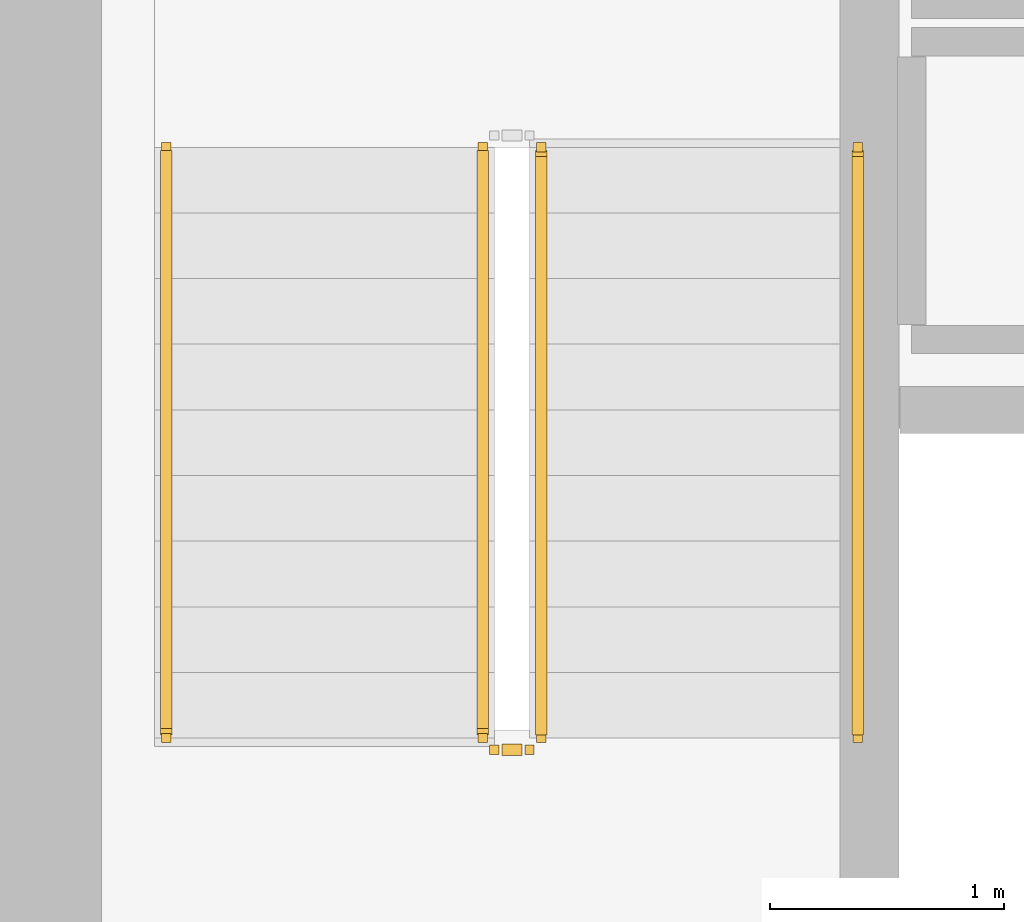
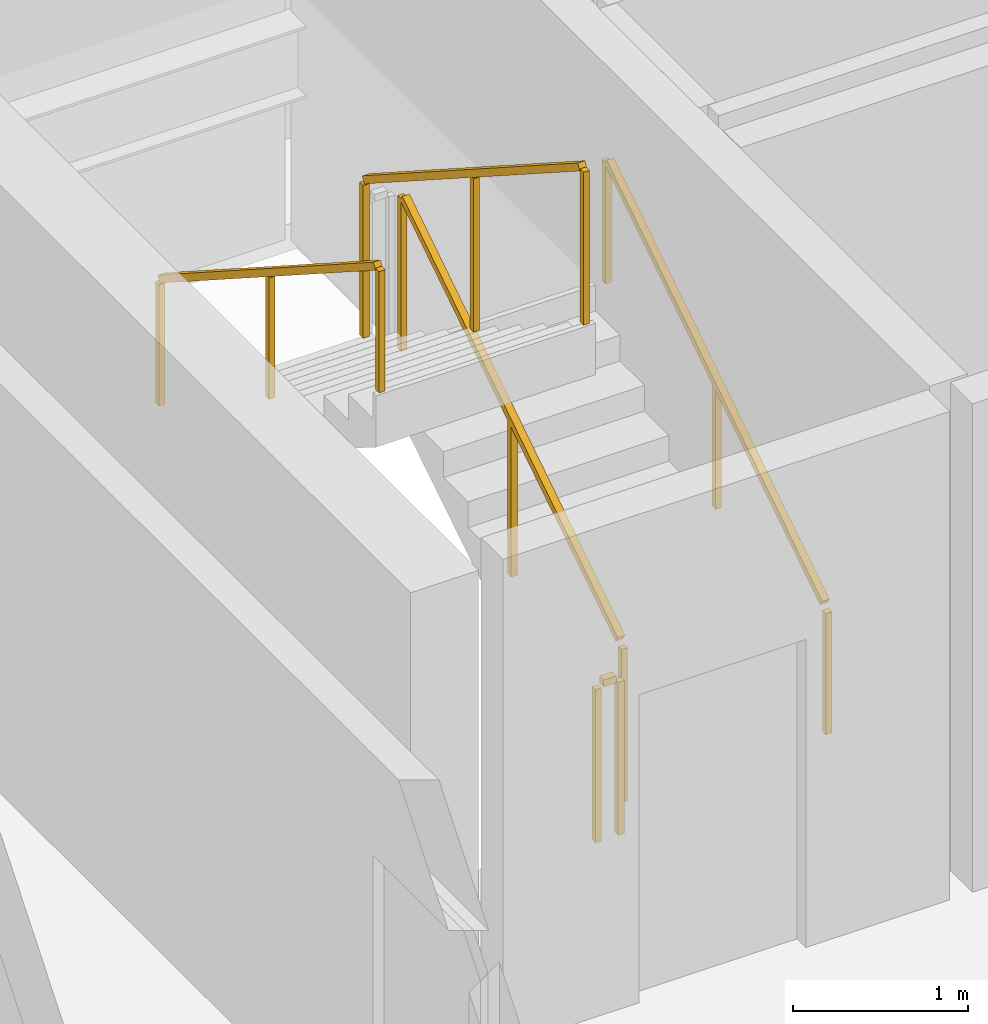
# One storey, part 15 of 19: 5 railings.
"""IFC4 building model written with IfcOpenShell, lengths in metres."""

import ifcopenshell
import ifcopenshell.guid

model = None  # the IFC model being written
_history = None  # IfcOwnerHistory: only IFC2X3 demands one
_inside = {}  # id of a spatial element -> (the spatial element, [elements in it])
_under = {}  # id of a project, library or spatial element -> (it, [spatial elements below it])
_declared = {}  # id of a project -> (the project, [libraries it declares])
_typed = {}  # id of a type object -> (the type object, [elements of that type])
_made_of = {}  # id of a material, layer set ... -> (it, [elements and type objects made of it])


def new_model(schema):
    """Start an empty IFC model of exactly this schema.

    Asked for "IFC4X3", IfcOpenShell would pick the latest addendum, in which some entities
    have other attributes; the version numbers below select the first issue.
    IFC2X3 requires an IfcOwnerHistory on every rooted entity: one is made here for all.
    """
    global model, _history
    if schema == "IFC4X3":
        model = ifcopenshell.file(schema_version=(4, 3, 0, 0))
    else:
        model = ifcopenshell.file(schema=schema)
    _inside.clear()
    _under.clear()
    _declared.clear()
    _typed.clear()
    _made_of.clear()
    _history = None
    if model.schema == "IFC2X3":
        org = make("IfcOrganization", Name="unknown")
        user = make(
            "IfcPersonAndOrganization",
            ThePerson=make("IfcPerson", FamilyName="unknown"),
            TheOrganization=org,
        )
        app = make(
            "IfcApplication",
            ApplicationDeveloper=org,
            Version="unknown",
            ApplicationFullName="unknown",
            ApplicationIdentifier="unknown",
        )
        _history = make(
            "IfcOwnerHistory",
            OwningUser=user,
            OwningApplication=app,
            ChangeAction="ADDED",
            CreationDate=0,
        )
    return model


def make(cls, **values):
    """One entity of the class cls with the attributes given. An attribute that is None is left unset."""
    return model.create_entity(
        cls, **{name: value for name, value in values.items() if value is not None}
    )


def rooted(cls, **values):
    """An entity with a GlobalId (a new one), such as an element, a storey or a relation."""
    return make(cls, GlobalId=ifcopenshell.guid.new(), OwnerHistory=_history, **values)


def si_unit(unit_type, name, prefix=None):
    """IfcSIUnit, for example si_unit("LENGTHUNIT", "METRE", prefix="MILLI")."""
    return make("IfcSIUnit", UnitType=unit_type, Prefix=prefix, Name=name)


def assignment(units):
    """IfcUnitAssignment: the units of a project."""
    return None if units is None else make("IfcUnitAssignment", Units=units)


def point(xyz):
    """IfcCartesianPoint."""
    return None if xyz is None else make("IfcCartesianPoint", Coordinates=xyz)


def direction(xyz):
    """IfcDirection."""
    return None if xyz is None else make("IfcDirection", DirectionRatios=xyz)


def frame(location, z_axis=None, x_axis=None):
    """IfcAxis2Placement3D, a coordinate frame: its origin and axes. An axis left out is left unset."""
    return make(
        "IfcAxis2Placement3D",
        Location=point(location),
        Axis=direction(z_axis),
        RefDirection=direction(x_axis),
    )


def frame_2d(location, x_axis=None):
    """IfcAxis2Placement2D, a coordinate frame in the plane: its origin and x axis."""
    return make(
        "IfcAxis2Placement2D", Location=point(location), RefDirection=direction(x_axis)
    )


def origin():
    """The frame at (0, 0, 0) with its axes left unset."""
    return frame((0.0, 0.0, 0.0))


def origin_2d():
    """The frame at (0, 0) in the plane with its x axis left unset."""
    return frame_2d((0.0, 0.0))


def place(relative_to, where):
    """IfcLocalPlacement: puts the frame where relative to a parent placement (None: the world)."""
    return make(
        "IfcLocalPlacement", PlacementRelTo=relative_to, RelativePlacement=where
    )


def context(
    kind, dimensions, precision=None, world=None, true_north=None, identifier=None
):
    """IfcGeometricRepresentationContext, for example the 3D "Model" context."""
    return make(
        "IfcGeometricRepresentationContext",
        ContextIdentifier=identifier,
        ContextType=kind,
        CoordinateSpaceDimension=dimensions,
        Precision=precision,
        WorldCoordinateSystem=world,
        TrueNorth=true_north,
    )


def subcontext(parent, identifier, kind, view, scale=None):
    """IfcGeometricRepresentationSubContext, for example "Body" below "Model"."""
    return make(
        "IfcGeometricRepresentationSubContext",
        ContextIdentifier=identifier,
        ContextType=kind,
        ParentContext=parent,
        TargetScale=scale,
        TargetView=view,
    )


def project(units=None, contexts=None):
    """IfcProject with its units and contexts."""
    return rooted(
        "IfcProject",
        Name="project",
        RepresentationContexts=contexts,
        UnitsInContext=assignment(units),
    )


def spatial(cls, under=None, at=None, **own):
    """A site, building, storey or space (cls), placed at a placement, below another one or the project."""
    s = rooted(cls, ObjectPlacement=at, **own)
    if under is not None:
        _under.setdefault(under.id(), (under, []))[1].append(s)
    return s


def profile(cls, at=None, kind="AREA", **sizes):
    """A parametric profile (cls). Its sizes go by their IFC names, for example OverallWidth=200.0."""
    return make(cls, ProfileType=kind, Position=at, **sizes)


def rectangle(**sizes):
    """IfcRectangleProfileDef."""
    return profile("IfcRectangleProfileDef", **sizes)


def extrude(swept, where, along, depth):
    """IfcExtrudedAreaSolid: the profile swept, set in the frame where, extruded along a direction by depth."""
    return make(
        "IfcExtrudedAreaSolid",
        SweptArea=swept,
        Position=where,
        ExtrudedDirection=direction(along),
        Depth=depth,
    )


def shape(context_of_items, identifier, shape_type, items):
    """IfcShapeRepresentation: the items that make up one representation, for example the "Body"."""
    return make(
        "IfcShapeRepresentation",
        ContextOfItems=context_of_items,
        RepresentationIdentifier=identifier,
        RepresentationType=shape_type,
        Items=items,
    )


def material(Name=None, Category=None):
    """IfcMaterial."""
    return make("IfcMaterial", Name=Name, Category=Category)


def made_of(thing, what):
    """Note that an element or type object is made of a material, layer set ...; save() writes the relation."""
    if what is not None:
        _made_of.setdefault(what.id(), (what, []))[1].append(thing)
    return thing


def type_object(cls, material=None, **own):
    """A type object (cls), such as IfcWallType, which elements share."""
    return made_of(rooted(cls, **own), material)


def element(
    cls,
    number,
    at=None,
    inside=None,
    cuts=None,
    type_object=None,
    material=None,
    context=None,
    identifier="Body",
    shape_type=None,
    held_by="IfcProductDefinitionShape",
    body=None,
    shapes=None,
    **own,
):
    """One element of the class cls, such as IfcWall. Its Tag is "e" and its number.

    at: its placement. inside: the storey or other place that contains it. cuts: it is an
    opening in that element (IfcRelVoidsElement). A single representation is given by context,
    identifier, shape_type and body (its items); several are given by shapes. held_by: the class
    of the entity that holds the representations. save() writes the other relations.
    """
    e = rooted(cls, Tag="e%d" % number, ObjectPlacement=at, **own)
    if body is not None:
        shapes = [shape(context, identifier, shape_type, body)]
    if shapes is not None:
        e.Representation = make(held_by, Representations=shapes)
    if inside is not None:
        _inside.setdefault(inside.id(), (inside, []))[1].append(e)
    if cuts is not None:
        rooted(
            "IfcRelVoidsElement", RelatingBuildingElement=cuts, RelatedOpeningElement=e
        )
    if type_object is not None:
        _typed.setdefault(type_object.id(), (type_object, []))[1].append(e)
    return made_of(e, material)


def aggregate(whole, parts):
    """IfcRelAggregates: a whole, such as a stair, and the parts it consists of."""
    return rooted("IfcRelAggregates", RelatingObject=whole, RelatedObjects=parts)


def save(model, path):
    """Write the relations noted so far, then the file.

    IfcRelAggregates (storeys below a building ...), IfcRelContainedInSpatialStructure (elements
    in a storey), IfcRelDefinesByType, IfcRelAssociatesMaterial and IfcRelDeclares: one each for
    every whole, place, type object, material and project.
    """
    for whole, parts in _under.values():
        aggregate(whole, parts)
    for where, things in _inside.values():
        rooted(
            "IfcRelContainedInSpatialStructure",
            RelatedElements=things,
            RelatingStructure=where,
        )
    for kind, things in _typed.values():
        rooted("IfcRelDefinesByType", RelatedObjects=things, RelatingType=kind)
    for what, things in _made_of.values():
        rooted("IfcRelAssociatesMaterial", RelatedObjects=things, RelatingMaterial=what)
    for by, libraries in _declared.values():
        rooted("IfcRelDeclares", RelatingContext=by, RelatedDefinitions=libraries)
    model.write(path)


model = new_model("IFC4")

# Units and contexts
model_context = context("Model", 3, precision=1e-05, world=origin(), true_north=direction((0.0, 1.0)))
body_context = subcontext(model_context, "Body", "Model", "MODEL_VIEW")
ifc_project = project(units=[si_unit("LENGTHUNIT", "METRE"), si_unit("AREAUNIT", "SQUARE_METRE"), si_unit("VOLUMEUNIT", "CUBIC_METRE"), si_unit("PLANEANGLEUNIT", "RADIAN"), si_unit("MASSUNIT", "GRAM", prefix="KILO")], contexts=[model_context])

# Site, building, storey
site_placement = place(None, origin())
site = spatial("IfcSite", under=ifc_project, at=site_placement, CompositionType="ELEMENT")
building_placement = place(site_placement, origin())
building = spatial("IfcBuilding", under=site, at=building_placement, Name="Tharavind Bronze Gate", CompositionType="ELEMENT")
storey_placement = place(building_placement, frame((0.0, 0.0, 116.050048828125)))
storey = spatial("IfcBuildingStorey", under=building, at=storey_placement, Name="L29", CompositionType="ELEMENT", Elevation=116.050048828125)

# Railings
ifc_material = material(Name="Brushed Bronze Alloy", Category="metal")
railing_type_1 = type_object("IfcRailingType", Name="STAIR BRONZE HANDRAIL 900", PredefinedType="HANDRAIL", material=ifc_material)
railing_1_placement = place(storey_placement, frame((-5.449951171875, -2.25, 0.179931640625)))
element("IfcRailing", 1, at=railing_1_placement, inside=storey, type_object=railing_type_1, Name="L29 ST1 stair handrail 1", PredefinedType="HANDRAIL", context=body_context, shape_type="SweptSolid", body=[
    extrude(rectangle(XDim=0.048095703125, YDim=0.048095703125, at=origin_2d()), frame((0.0, 0.02685546875, 0.89306640625), z_axis=(0.0, 0.841162588446, 0.540782303519), x_axis=(-1.0, 0.0, 0.0)), (0.0, 0.0, 1.0), 2.931884765625),
    extrude(rectangle(XDim=0.0400390625, YDim=0.0400390625, at=origin_2d()), origin(), (0.0, 0.0, 1.0), 0.847900390625),
    extrude(rectangle(XDim=0.0400390625, YDim=0.0400390625, at=origin_2d()), frame((0.0, 1.260009765625, 0.81005859375)), (0.0, 0.0, 1.0), 0.847900390625),
    extrude(rectangle(XDim=0.0400390625, YDim=0.0400390625, at=origin_2d()), frame((0.0, 2.52001953125, 1.6201171875)), (0.0, 0.0, 1.0), 0.847900390625),
])
railing_2_placement = place(storey_placement, frame((-8.39990234375, 0.27001953125, 1.97998046875)))
element("IfcRailing", 2, at=railing_2_placement, inside=storey, type_object=railing_type_1, Name="L29 ST1 stair handrail 2", PredefinedType="HANDRAIL", context=body_context, shape_type="SweptSolid", body=[
    extrude(rectangle(XDim=0.048095703125, YDim=0.048095703125, at=origin_2d()), frame((0.0, -0.02685546875, 0.89306640625), z_axis=(0.0, -0.841199657755, 0.540724639528), x_axis=(1.0, 0.0, 0.0)), (0.0, 0.0, 1.0), 2.931640625),
    extrude(rectangle(XDim=0.0400390625, YDim=0.0400390625, at=origin_2d()), origin(), (0.0, 0.0, 1.0), 0.847900390625),
    extrude(rectangle(XDim=0.0400390625, YDim=0.0400390625, at=origin_2d()), frame((0.0, -1.260009765625, 0.81005859375)), (0.0, 0.0, 1.0), 0.847900390625),
    extrude(rectangle(XDim=0.0400390625, YDim=0.0400390625, at=origin_2d()), frame((0.0, -2.52001953125, 1.619873046875)), (0.0, 0.0, 1.0), 0.847900390625),
])
railing_type_2 = type_object("IfcRailingType", Name="STAIR WELL GUARD RAILING 1120", PredefinedType="GUARDRAIL", material=ifc_material)
railing_3_placement = place(storey_placement, frame((-6.800048828125, -2.25, 0.179931640625)))
element("IfcRailing", 3, at=railing_3_placement, inside=storey, type_object=railing_type_2, Name="L29 ST1 stair guard 1", PredefinedType="GUARDRAIL", context=body_context, shape_type="SweptSolid", body=[
    extrude(rectangle(XDim=0.048095703125, YDim=0.048095703125, at=origin_2d()), frame((0.0, 0.02685546875, 1.11328125), z_axis=(0.0, 0.841162588446, 0.540782303519), x_axis=(-1.0, 0.0, 0.0)), (0.0, 0.0, 1.0), 2.931884765625),
    extrude(rectangle(XDim=0.0400390625, YDim=0.0400390625, at=origin_2d()), origin(), (0.0, 0.0, 1.0), 1.068115234375),
    extrude(rectangle(XDim=0.0400390625, YDim=0.0400390625, at=origin_2d()), frame((0.0, 1.260009765625, 0.81005859375)), (0.0, 0.0, 1.0), 1.068115234375),
    extrude(rectangle(XDim=0.0400390625, YDim=0.0400390625, at=origin_2d()), frame((0.0, 2.52001953125, 1.6201171875)), (0.0, 0.0, 1.0), 1.068115234375),
])
railing_4_placement = place(storey_placement, frame((-7.050048828125, 0.27001953125, 1.97998046875)))
element("IfcRailing", 4, at=railing_4_placement, inside=storey, type_object=railing_type_2, Name="L29 ST1 stair guard 3", PredefinedType="GUARDRAIL", context=body_context, shape_type="SweptSolid", body=[
    extrude(rectangle(XDim=0.048095703125, YDim=0.048095703125, at=origin_2d()), frame((0.0, -0.02685546875, 1.11328125), z_axis=(0.0, -0.841199657755, 0.540724639528), x_axis=(1.0, 0.0, 0.0)), (0.0, 0.0, 1.0), 2.931640625),
    extrude(rectangle(XDim=0.0400390625, YDim=0.0400390625, at=origin_2d()), origin(), (0.0, 0.0, 1.0), 1.068115234375),
    extrude(rectangle(XDim=0.0400390625, YDim=0.0400390625, at=origin_2d()), frame((0.0, -1.260009765625, 0.81005859375)), (0.0, 0.0, 1.0), 1.068115234375),
    extrude(rectangle(XDim=0.0400390625, YDim=0.0400390625, at=origin_2d()), frame((0.0, -2.52001953125, 1.619873046875)), (0.0, 0.0, 1.0), 1.068115234375),
])
railing_5_placement = place(storey_placement, frame((-6.85009765625, -2.300048828125, 0.0)))
element("IfcRailing", 5, at=railing_5_placement, inside=storey, type_object=railing_type_2, Name="L29 ST1 stair guard 4", PredefinedType="GUARDRAIL", context=body_context, shape_type="SweptSolid", body=[
    extrude(rectangle(XDim=0.048095703125, YDim=0.048095703125, at=origin_2d()), frame((-0.031982421875, 0.0, 1.09619140625), z_axis=(-1.0, 0.0, 0.0), x_axis=(0.0, -1.0, 0.0)), (0.0, 0.0, 1.0), 0.0859375),
    extrude(rectangle(XDim=0.0400390625, YDim=0.0400390625, at=origin_2d()), origin(), (0.0, 0.0, 1.0), 1.068115234375),
    extrude(rectangle(XDim=0.0400390625, YDim=0.0400390625, at=origin_2d()), frame((-0.14990234375, 0.0, 0.0)), (0.0, 0.0, 1.0), 1.068115234375),
])

save(model, "model.ifc")
